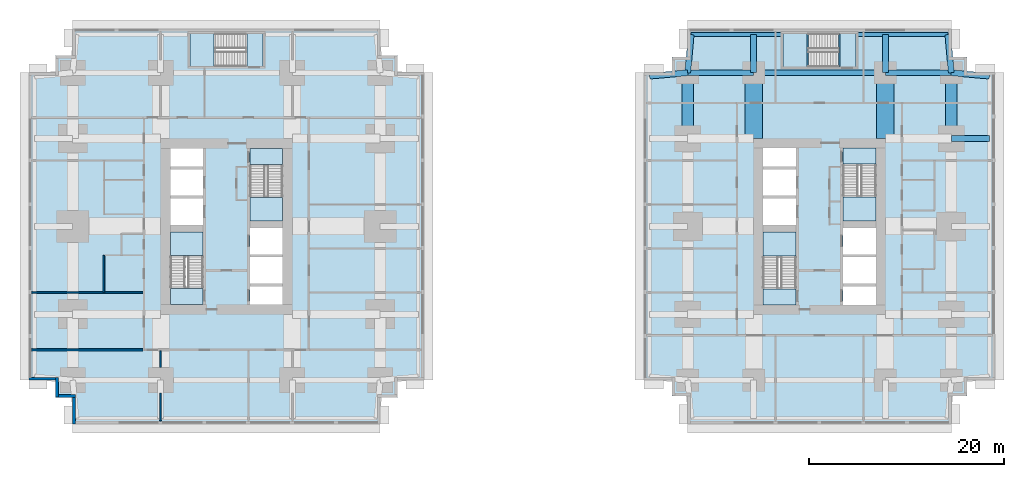
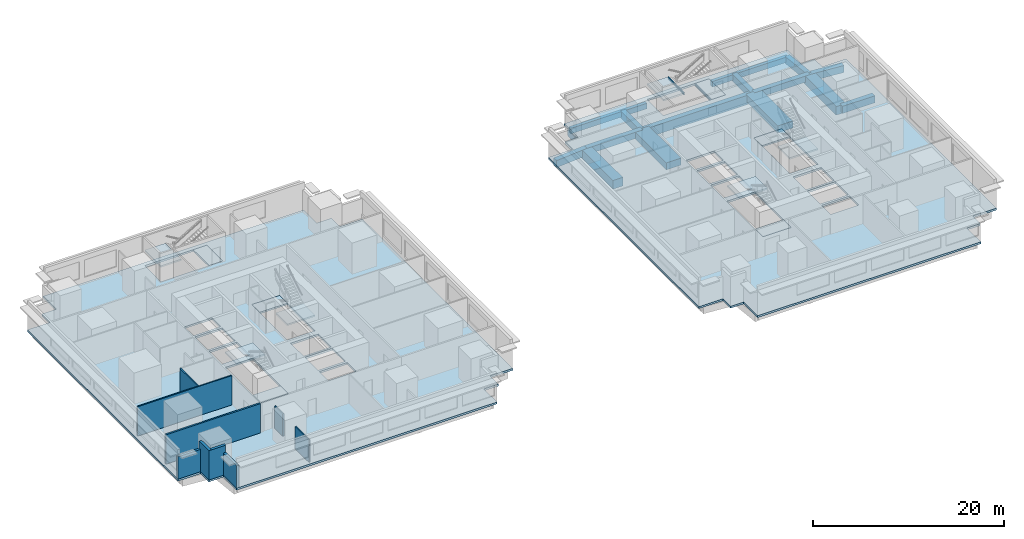
# One storey, part 2 of 11: 18 beams, 14 slabs, 9 walls, 6 elements without a shape of their own.
"""IFC4 building model written with IfcOpenShell, lengths in metres."""

from ifc_helpers import new_model, si_unit, direction, frame, frame_2d, origin, origin_2d, place, context, subcontext, project, spatial, polyline, rectangle, i_section, outline, extrude, material, layer, layer_set, material_profile, profile_set, type_object, element, aggregate, save


model = new_model("IFC4")

# Units and contexts
model_context = context("Model", 3, precision=1e-05, world=origin(), true_north=direction((0.0, 1.0)))
body_context = subcontext(model_context, "Body", "Model", "MODEL_VIEW")
ifc_project = project(units=[si_unit("LENGTHUNIT", "METRE"), si_unit("AREAUNIT", "SQUARE_METRE"), si_unit("VOLUMEUNIT", "CUBIC_METRE"), si_unit("PLANEANGLEUNIT", "RADIAN"), si_unit("MASSUNIT", "GRAM", prefix="KILO")], contexts=[model_context])

# Site, building, storey
site_placement = place(None, origin())
site = spatial("IfcSite", under=ifc_project, at=site_placement, CompositionType="ELEMENT")
building_placement = place(site_placement, origin())
building = spatial("IfcBuilding", under=site, at=building_placement, Name="Namib Vertical Campus", CompositionType="ELEMENT")
storey_placement = place(building_placement, frame((0.0, 0.0, 33.0)))
storey = spatial("IfcBuildingStorey", under=building, at=storey_placement, Name="L07", CompositionType="ELEMENT", Elevation=33.0)

# Beams
ifc_material_1 = material(Name="Concrete C40/50", Category="concrete")
ifc_material_profile_1 = material_profile(ifc_material_1, rectangle(XDim=0.60009765625, YDim=0.89990234375, at=origin_2d()))
ifc_profile_set_1 = profile_set([ifc_material_profile_1], Name="Concrete C40/50")
beam_type_1 = type_object("IfcBeamType", Name="Cantilever girder RC 600x900", PredefinedType="BEAM", material=ifc_profile_set_1)
beam_1_placement = place(storey_placement, frame((67.5, 36.0, -0.699951171875), z_axis=(0.089411326146, 0.995994786511, 0.0), x_axis=(-0.995994786511, 0.089411326146, 0.0)))
element("IfcBeam", 1, at=beam_1_placement, inside=storey, type_object=beam_type_1, Name="Beam B3 L07", PredefinedType="BEAM", context=body_context, shape_type="SweptSolid", body=[
    extrude(rectangle(XDim=0.60009765625, YDim=0.89990234375, at=origin_2d()), origin(), (0.0, 0.0, 1.0), 3.91552734375),
])
for number, where, z_axis, x_axis, name in (
    (2, (74.25, 36.0, -0.699951171875), (0.0, 1.0, 0.0), (-1.0, 0.0, 0.0), "Beam B3 L07"),
    (3, (87.75, 36.0, -0.699951171875), (0.0, 1.0, 0.0), (-1.0, 0.0, 0.0), "Beam B3 L07"),
):
    element("IfcBeam", number, at=place(storey_placement, frame(where, z_axis=z_axis, x_axis=x_axis)), inside=storey, type_object=beam_type_1, Name=name, PredefinedType="BEAM", context=body_context, shape_type="SweptSolid", body=[
        extrude(rectangle(XDim=0.60009765625, YDim=0.89990234375, at=origin_2d()), origin(), (0.0, 0.0, 1.0), 3.89990234375),
    ])
for number, where, z_axis, x_axis, name in (
    (4, (94.5, 36.0, -0.699951171875), (-0.089411326146, 0.995994786511, 0.0), (-0.995994786511, -0.089411326146, 0.0), "Beam B3 L07"),
    (5, (67.5, 36.0, -0.699951171875), (-0.995994786511, -0.089411326146, 0.0), (0.089411326146, -0.995994786511, 0.0), "Beam B3 L07"),
):
    element("IfcBeam", number, at=place(storey_placement, frame(where, z_axis=z_axis, x_axis=x_axis)), inside=storey, type_object=beam_type_1, Name=name, PredefinedType="BEAM", context=body_context, shape_type="SweptSolid", body=[
        extrude(rectangle(XDim=0.60009765625, YDim=0.89990234375, at=origin_2d()), origin(), (0.0, 0.0, 1.0), 3.91552734375),
    ])
beam_2_placement = place(storey_placement, frame((94.5, 29.25, -0.699951171875), z_axis=(1.0, 0.0, 0.0), x_axis=(0.0, 1.0, 0.0)))
element("IfcBeam", 6, at=beam_2_placement, inside=storey, type_object=beam_type_1, Name="Beam B3 L07", PredefinedType="BEAM", context=body_context, shape_type="SweptSolid", body=[
    extrude(rectangle(XDim=0.60009765625, YDim=0.89990234375, at=origin_2d()), origin(), (0.0, 0.0, 1.0), 3.89990234375),
])
beam_3_placement = place(storey_placement, frame((94.5, 36.0, -0.699951171875), z_axis=(0.995994786511, -0.089411326146, 0.0), x_axis=(0.089411326146, 0.995994786511, 0.0)))
element("IfcBeam", 7, at=beam_3_placement, inside=storey, type_object=beam_type_1, Name="Beam B3 L07", PredefinedType="BEAM", context=body_context, shape_type="SweptSolid", body=[
    extrude(rectangle(XDim=0.60009765625, YDim=0.89990234375, at=origin_2d()), origin(), (0.0, 0.0, 1.0), 3.91552734375),
])
ifc_material_2 = material(Name="Concrete C40/50", Category="concrete")
ifc_material_profile_2 = material_profile(ifc_material_2, rectangle(XDim=0.39990234375, YDim=0.699951171875, at=origin_2d()))
ifc_profile_set_2 = profile_set([ifc_material_profile_2], Name="Concrete C40/50")
beam_type_2 = type_object("IfcBeamType", Name="Edge beam RC 400x700", PredefinedType="SPANDREL", material=ifc_profile_set_2)
for number, where, z_axis, x_axis, name in (
    (8, (67.85009765625, 39.89990234375, -0.60009765625), (1.0, 0.0, 0.0), (0.0, 1.0, 0.0), "Beam B4 L07"),
    (9, (84.949951171875, 39.89990234375, -0.60009765625), (1.0, 0.0, 0.0), (0.0, 1.0, 0.0), "Beam B4 L07"),
):
    element("IfcBeam", number, at=place(storey_placement, frame(where, z_axis=z_axis, x_axis=x_axis)), inside=storey, type_object=beam_type_2, Name=name, PredefinedType="SPANDREL", context=body_context, shape_type="SweptSolid", body=[
        extrude(rectangle(XDim=0.39990234375, YDim=0.699951171875, at=origin_2d()), origin(), (0.0, 0.0, 1.0), 9.199951171875),
    ])
ifc_material_3 = material(Name="Concrete C40/50", Category="concrete")
ifc_material_profile_3 = material_profile(ifc_material_3, rectangle(XDim=1.199951171875, YDim=1.10009765625, at=origin_2d()))
ifc_profile_set_3 = profile_set([ifc_material_profile_3], Name="Concrete C40/50")
beam_type_3 = type_object("IfcBeamType", Name="Face ring beam RC 1200x1100", PredefinedType="BEAM", material=ifc_profile_set_3)
for number, where, z_axis, x_axis, name in (
    (10, (67.5, 29.25, -0.800048828125), (0.0, 1.0, 0.0), (-1.0, 0.0, 0.0), "Beam B11 L07"),
    (11, (94.5, 29.25, -0.800048828125), (0.0, 1.0, 0.0), (-1.0, 0.0, 0.0), "Beam B11 L07"),
):
    element("IfcBeam", number, at=place(storey_placement, frame(where, z_axis=z_axis, x_axis=x_axis)), inside=storey, type_object=beam_type_3, Name=name, PredefinedType="BEAM", context=body_context, shape_type="SweptSolid", body=[
        extrude(rectangle(XDim=1.199951171875, YDim=1.10009765625, at=origin_2d()), origin(), (0.0, 0.0, 1.0), 6.75),
    ])
ifc_material_4 = material(Name="Steel S355JR", Category="steel")
ifc_material_profile_4 = material_profile(ifc_material_4, i_section(OverallWidth=0.14599609375, OverallDepth=0.25146484375, WebThickness=0.006103515625, FlangeThickness=0.008544921875, FilletRadius=0.007568359375, at=origin_2d()))
ifc_profile_set_4 = profile_set([ifc_material_profile_4], Name="Steel S355JR")
beam_type_4 = type_object("IfcBeamType", Name="Landing trimmer UB 254x146x31", PredefinedType="BEAM", material=ifc_profile_set_4)
for number, where, z_axis, x_axis, name in (
    (12, (83.02294921875, 36.60009765625, -0.125732421875), (0.0, 1.0, 0.0), (-1.0, 0.0, 0.0), "Landing trimmer LT1 B-S3 L07 1"),
    (13, (79.796875, 36.60009765625, 1.874267578125), (0.0, 1.0, 0.0), (-1.0, 0.0, 0.0), "Landing trimmer LT1 B-S3 L07 2"),
):
    element("IfcBeam", number, at=place(storey_placement, frame(where, z_axis=z_axis, x_axis=x_axis)), inside=storey, type_object=beam_type_4, Name=name, PredefinedType="BEAM", context=body_context, shape_type="SweptSolid", body=[
        extrude(i_section(OverallWidth=0.14599609375, OverallDepth=0.25146484375, WebThickness=0.006103515625, FlangeThickness=0.008544921875, FilletRadius=0.007568359375, at=origin_2d()), origin(), (0.0, 0.0, 1.0), 3.39990234375),
    ])
ifc_material_5 = material(Name="Concrete C40/50", Category="concrete")
ifc_material_profile_5 = material_profile(ifc_material_5, rectangle(XDim=0.60009765625, YDim=1.199951171875, at=origin_2d()))
ifc_profile_set_5 = profile_set([ifc_material_profile_5], Name="Concrete C40/50")
beam_type_5 = type_object("IfcBeamType", Name="Long-span ring beam RC 600x1200", PredefinedType="BEAM", material=ifc_profile_set_5)
beam_4_placement = place(storey_placement, frame((74.25, 36.0, -0.85009765625), z_axis=(1.0, 0.0, 0.0), x_axis=(0.0, 1.0, 0.0)))
element("IfcBeam", 14, at=beam_4_placement, inside=storey, type_object=beam_type_5, Name="Beam B9 L07", PredefinedType="BEAM", context=body_context, shape_type="SweptSolid", body=[
    extrude(rectangle(XDim=0.60009765625, YDim=1.199951171875, at=origin_2d()), origin(), (0.0, 0.0, 1.0), 13.5),
])
ifc_material_6 = material(Name="Concrete C40/50", Category="concrete")
ifc_material_profile_6 = material_profile(ifc_material_6, rectangle(XDim=1.800048828125, YDim=0.89990234375, at=origin_2d()))
ifc_profile_set_6 = profile_set([ifc_material_profile_6], Name="Concrete C40/50")
beam_type_6 = type_object("IfcBeamType", Name="Outrigger line girder RC 1800x900", PredefinedType="BEAM", material=ifc_profile_set_6)
for number, where, z_axis, x_axis, name in (
    (15, (74.25, 36.0, -0.699951171875), (0.0, -1.0, 0.0), (1.0, 0.0, 0.0), "Beam B12 L07"),
    (16, (87.75, 36.0, -0.699951171875), (0.0, -1.0, 0.0), (1.0, 0.0, 0.0), "Beam B12 L07"),
):
    element("IfcBeam", number, at=place(storey_placement, frame(where, z_axis=z_axis, x_axis=x_axis)), inside=storey, type_object=beam_type_6, Name=name, PredefinedType="BEAM", context=body_context, shape_type="SweptSolid", body=[
        extrude(rectangle(XDim=1.800048828125, YDim=0.89990234375, at=origin_2d()), origin(), (0.0, 0.0, 1.0), 6.75),
    ])
ifc_material_7 = material(Name="Concrete C40/50", Category="concrete")
ifc_material_profile_7 = material_profile(ifc_material_7, rectangle(XDim=0.60009765625, YDim=0.800048828125, at=origin_2d()))
ifc_profile_set_7 = profile_set([ifc_material_profile_7], Name="Concrete C40/50")
beam_type_7 = type_object("IfcBeamType", Name="Ring beam RC 600x800", PredefinedType="BEAM", material=ifc_profile_set_7)
for number, where, z_axis, x_axis, name in (
    (17, (67.5, 36.0, -0.64990234375), (1.0, 0.0, 0.0), (0.0, 1.0, 0.0), "Beam B1 L07"),
    (18, (87.75, 36.0, -0.64990234375), (1.0, 0.0, 0.0), (0.0, 1.0, 0.0), "Beam B1 L07"),
):
    element("IfcBeam", number, at=place(storey_placement, frame(where, z_axis=z_axis, x_axis=x_axis)), inside=storey, type_object=beam_type_7, Name=name, PredefinedType="BEAM", context=body_context, shape_type="SweptSolid", body=[
        extrude(rectangle(XDim=0.60009765625, YDim=0.800048828125, at=origin_2d()), origin(), (0.0, 0.0, 1.0), 6.75),
    ])

# Slabs
ifc_material_8 = material(Name="Concrete C40/50", Category="concrete")
ifc_layer_1 = layer(ifc_material_8, 0.25)
ifc_layer_set_1 = layer_set([ifc_layer_1], Name="Concrete C40/50")
slab_type_1 = type_object("IfcSlabType", Name="Floor slab 250", PredefinedType="FLOOR", material=ifc_layer_set_1)
slab_1_placement = place(storey_placement, frame((0.0, 0.0, -0.25)))
element("IfcSlab", 19, at=slab_1_placement, inside=storey, type_object=slab_type_1, Name="Floor slab A L07", PredefinedType="FLOOR", context=body_context, shape_type="SweptSolid", body=[
    extrude(outline(polyline([(4.5, 0.0), (36.0, 0.0), (36.0, 2.75), (37.75, 2.75), (37.75, 4.5), (40.5, 4.5), (40.5, 36.0), (37.75, 36.0), (37.75, 37.75), (36.0, 37.75), (36.0, 40.5), (4.5, 40.5), (4.5, 37.75), (2.75, 37.75), (2.75, 36.0), (0.0, 36.0), (0.0, 4.5), (2.75, 4.5), (2.75, 2.75), (4.5, 2.75), (4.5, 0.0)]), holes=[polyline([(14.5, 12.25), (17.85009765625, 12.25), (17.85009765625, 19.699951171875), (14.5, 19.699951171875), (14.5, 12.25)]), polyline([(22.64990234375, 20.800048828125), (26.0, 20.800048828125), (26.0, 28.25), (22.64990234375, 28.25), (22.64990234375, 20.800048828125)]), polyline([(22.64990234375, 12.25), (26.0, 12.25), (26.0, 14.10009765625), (22.64990234375, 14.10009765625), (22.64990234375, 12.25)]), polyline([(14.5, 20.39990234375), (17.85009765625, 20.39990234375), (17.85009765625, 23.10009765625), (14.5, 23.10009765625), (14.5, 20.39990234375)]), polyline([(14.5, 23.39990234375), (17.85009765625, 23.39990234375), (17.85009765625, 26.10009765625), (14.5, 26.10009765625), (14.5, 23.39990234375)]), polyline([(14.5, 26.39990234375), (17.85009765625, 26.39990234375), (17.85009765625, 28.25), (14.5, 28.25), (14.5, 26.39990234375)]), polyline([(22.64990234375, 14.39990234375), (26.0, 14.39990234375), (26.0, 17.10009765625), (22.64990234375, 17.10009765625), (22.64990234375, 14.39990234375)]), polyline([(22.64990234375, 17.39990234375), (26.0, 17.39990234375), (26.0, 20.10009765625), (22.64990234375, 20.10009765625), (22.64990234375, 17.39990234375)]), polyline([(16.5, 36.64990234375), (24.0, 36.64990234375), (24.0, 40.0), (16.5, 40.0), (16.5, 36.64990234375)])]), origin(), (0.0, 0.0, 1.0), 0.25),
])
slab_2_placement = place(storey_placement, frame((0.0, 0.0, -0.25)))
element("IfcSlab", 20, at=slab_2_placement, inside=storey, type_object=slab_type_1, Name="Floor slab B L07", PredefinedType="FLOOR", context=body_context, shape_type="SweptSolid", body=[
    extrude(outline(polyline([(67.5, 0.0), (94.5, 0.0), (94.5, 2.89990234375), (96.10009765625, 2.89990234375), (96.10009765625, 4.5), (99.0, 4.5), (99.0, 36.0), (96.10009765625, 36.0), (96.10009765625, 37.60009765625), (94.5, 37.60009765625), (94.5, 40.5), (67.5, 40.5), (67.5, 37.60009765625), (65.89990234375, 37.60009765625), (65.89990234375, 36.0), (63.0, 36.0), (63.0, 4.5), (65.89990234375, 4.5), (65.89990234375, 2.89990234375), (67.5, 2.89990234375), (67.5, 0.0)]), holes=[polyline([(75.199951171875, 12.199951171875), (78.60009765625, 12.199951171875), (78.60009765625, 19.699951171875), (75.199951171875, 19.699951171875), (75.199951171875, 12.199951171875)]), polyline([(83.39990234375, 20.800048828125), (86.800048828125, 20.800048828125), (86.800048828125, 28.300048828125), (83.39990234375, 28.300048828125), (83.39990234375, 20.800048828125)]), polyline([(83.39990234375, 12.199951171875), (86.800048828125, 12.199951171875), (86.800048828125, 14.10009765625), (83.39990234375, 14.10009765625), (83.39990234375, 12.199951171875)]), polyline([(75.199951171875, 20.39990234375), (78.60009765625, 20.39990234375), (78.60009765625, 23.10009765625), (75.199951171875, 23.10009765625), (75.199951171875, 20.39990234375)]), polyline([(75.199951171875, 23.39990234375), (78.60009765625, 23.39990234375), (78.60009765625, 26.10009765625), (75.199951171875, 26.10009765625), (75.199951171875, 23.39990234375)]), polyline([(75.199951171875, 26.39990234375), (78.60009765625, 26.39990234375), (78.60009765625, 28.300048828125), (75.199951171875, 28.300048828125), (75.199951171875, 26.39990234375)]), polyline([(83.39990234375, 14.39990234375), (86.800048828125, 14.39990234375), (86.800048828125, 17.10009765625), (83.39990234375, 17.10009765625), (83.39990234375, 14.39990234375)]), polyline([(83.39990234375, 17.39990234375), (86.800048828125, 17.39990234375), (86.800048828125, 20.10009765625), (83.39990234375, 20.10009765625), (83.39990234375, 17.39990234375)]), polyline([(77.25, 36.60009765625), (84.75, 36.60009765625), (84.75, 40.0), (77.25, 40.0), (77.25, 36.60009765625)])]), origin(), (0.0, 0.0, 1.0), 0.25),
])

# Stair, slabs
ifc_material_9 = material(Name="Concrete C40/50 precast", Category="concrete")
stair_type_1 = type_object("IfcStairType", Name="Exit stair 4000 rise 24 risers 3350 wide", PredefinedType="HALF_TURN_STAIR", material=ifc_material_9)
stair_1_placement = place(storey_placement, origin())
stair_1 = element("IfcStair", 21, at=stair_1_placement, inside=storey, type_object=stair_type_1, Name="Exit stair A-S1 L07", PredefinedType="HALF_TURN_STAIR")
ifc_material_10 = material(Name="Concrete C40/50", Category="concrete")
ifc_layer_2 = layer(ifc_material_10, 0.199951171875)
ifc_layer_set_2 = layer_set([ifc_layer_2], Name="Concrete C40/50")
slab_type_2 = type_object("IfcSlabType", Name="Stair landing 200", PredefinedType="LANDING", material=ifc_layer_set_2)
slab_3_placement = place(storey_placement, frame((0.0, 0.0, -0.199951171875)))
slab_3 = element("IfcSlab", 22, at=slab_3_placement, type_object=slab_type_2, Name="A-S1 landing 1", PredefinedType="LANDING", context=body_context, shape_type="SweptSolid", body=[
    extrude(outline(polyline([(14.5, 12.25), (17.85009765625, 12.25), (17.85009765625, 13.90380859375), (14.5, 13.90380859375), (14.5, 12.25)])), origin(), (0.0, 0.0, 1.0), 0.199951171875),
])
slab_4_placement = place(storey_placement, frame((0.0, 0.0, 1.800048828125)))
slab_4 = element("IfcSlab", 23, at=slab_4_placement, type_object=slab_type_2, Name="A-S1 landing 2", PredefinedType="LANDING", context=body_context, shape_type="SweptSolid", body=[
    extrude(outline(polyline([(14.5, 17.276123046875), (17.85009765625, 17.276123046875), (17.85009765625, 19.699951171875), (14.5, 19.699951171875), (14.5, 17.276123046875)])), origin(), (0.0, 0.0, 1.0), 0.199951171875),
])
aggregate(stair_1, [slab_3, slab_4])

stair_2_placement = place(storey_placement, origin())
stair_2 = element("IfcStair", 24, at=stair_2_placement, inside=storey, type_object=stair_type_1, Name="Exit stair A-S2 L07", PredefinedType="HALF_TURN_STAIR")
slab_5_placement = place(storey_placement, frame((0.0, 0.0, -0.199951171875)))
slab_5 = element("IfcSlab", 25, at=slab_5_placement, type_object=slab_type_2, Name="A-S2 landing 1", PredefinedType="LANDING", context=body_context, shape_type="SweptSolid", body=[
    extrude(outline(polyline([(22.64990234375, 26.59619140625), (26.0, 26.59619140625), (26.0, 28.25), (22.64990234375, 28.25), (22.64990234375, 26.59619140625)])), origin(), (0.0, 0.0, 1.0), 0.199951171875),
])
slab_6_placement = place(storey_placement, frame((0.0, 0.0, 1.800048828125)))
slab_6 = element("IfcSlab", 26, at=slab_6_placement, type_object=slab_type_2, Name="A-S2 landing 2", PredefinedType="LANDING", context=body_context, shape_type="SweptSolid", body=[
    extrude(outline(polyline([(22.64990234375, 20.800048828125), (26.0, 20.800048828125), (26.0, 23.223876953125), (22.64990234375, 23.223876953125), (22.64990234375, 20.800048828125)])), origin(), (0.0, 0.0, 1.0), 0.199951171875),
])
aggregate(stair_2, [slab_5, slab_6])

ifc_material_11 = material(Name="Concrete C40/50 precast", Category="concrete")
stair_type_2 = type_object("IfcStairType", Name="Exit stair 4000 rise 24 risers 3400 wide", PredefinedType="HALF_TURN_STAIR", material=ifc_material_11)
stair_3_placement = place(storey_placement, origin())
stair_3 = element("IfcStair", 27, at=stair_3_placement, inside=storey, type_object=stair_type_2, Name="Exit stair B-S1 L07", PredefinedType="HALF_TURN_STAIR")
slab_7_placement = place(storey_placement, frame((0.0, 0.0, -0.199951171875)))
slab_7 = element("IfcSlab", 28, at=slab_7_placement, type_object=slab_type_2, Name="B-S1 landing 1", PredefinedType="LANDING", context=body_context, shape_type="SweptSolid", body=[
    extrude(outline(polyline([(75.199951171875, 12.199951171875), (78.60009765625, 12.199951171875), (78.60009765625, 13.85400390625), (75.199951171875, 13.85400390625), (75.199951171875, 12.199951171875)])), origin(), (0.0, 0.0, 1.0), 0.199951171875),
])
slab_8_placement = place(storey_placement, frame((0.0, 0.0, 1.800048828125)))
slab_8 = element("IfcSlab", 29, at=slab_8_placement, type_object=slab_type_2, Name="B-S1 landing 2", PredefinedType="LANDING", context=body_context, shape_type="SweptSolid", body=[
    extrude(outline(polyline([(75.199951171875, 17.22607421875), (78.60009765625, 17.22607421875), (78.60009765625, 19.699951171875), (75.199951171875, 19.699951171875), (75.199951171875, 17.22607421875)])), origin(), (0.0, 0.0, 1.0), 0.199951171875),
])
aggregate(stair_3, [slab_7, slab_8])

stair_4_placement = place(storey_placement, origin())
stair_4 = element("IfcStair", 30, at=stair_4_placement, inside=storey, type_object=stair_type_2, Name="Exit stair B-S2 L07", PredefinedType="HALF_TURN_STAIR")
slab_9_placement = place(storey_placement, frame((0.0, 0.0, -0.199951171875)))
slab_9 = element("IfcSlab", 31, at=slab_9_placement, type_object=slab_type_2, Name="B-S2 landing 1", PredefinedType="LANDING", context=body_context, shape_type="SweptSolid", body=[
    extrude(outline(polyline([(83.39990234375, 26.64599609375), (86.800048828125, 26.64599609375), (86.800048828125, 28.300048828125), (83.39990234375, 28.300048828125), (83.39990234375, 26.64599609375)])), origin(), (0.0, 0.0, 1.0), 0.199951171875),
])
slab_10_placement = place(storey_placement, frame((0.0, 0.0, 1.800048828125)))
slab_10 = element("IfcSlab", 32, at=slab_10_placement, type_object=slab_type_2, Name="B-S2 landing 2", PredefinedType="LANDING", context=body_context, shape_type="SweptSolid", body=[
    extrude(outline(polyline([(83.39990234375, 20.800048828125), (86.800048828125, 20.800048828125), (86.800048828125, 23.27392578125), (83.39990234375, 23.27392578125), (83.39990234375, 20.800048828125)])), origin(), (0.0, 0.0, 1.0), 0.199951171875),
])
aggregate(stair_4, [slab_9, slab_10])

stair_5_placement = place(storey_placement, origin())
stair_5 = element("IfcStair", 33, at=stair_5_placement, inside=storey, type_object=stair_type_1, Name="Exit stair A-S3 L07", PredefinedType="HALF_TURN_STAIR")
slab_11_placement = place(storey_placement, frame((0.0, 0.0, -0.199951171875)))
slab_11 = element("IfcSlab", 34, at=slab_11_placement, type_object=slab_type_2, Name="A-S3 landing 1", PredefinedType="LANDING", context=body_context, shape_type="SweptSolid", body=[
    extrude(outline(polyline([(22.34619140625, 36.64990234375), (22.34619140625, 40.0), (24.0, 40.0), (24.0, 36.64990234375), (22.34619140625, 36.64990234375)])), origin(), (0.0, 0.0, 1.0), 0.199951171875),
])
slab_12_placement = place(storey_placement, frame((0.0, 0.0, 1.800048828125)))
slab_12 = element("IfcSlab", 35, at=slab_12_placement, type_object=slab_type_2, Name="A-S3 landing 2", PredefinedType="LANDING", context=body_context, shape_type="SweptSolid", body=[
    extrude(outline(polyline([(16.5, 36.64990234375), (16.5, 40.0), (18.973876953125, 40.0), (18.973876953125, 36.64990234375), (16.5, 36.64990234375)])), origin(), (0.0, 0.0, 1.0), 0.199951171875),
])
aggregate(stair_5, [slab_11, slab_12])

stair_6_placement = place(storey_placement, origin())
stair_6 = element("IfcStair", 36, at=stair_6_placement, inside=storey, type_object=stair_type_2, Name="Exit stair B-S3 L07", PredefinedType="HALF_TURN_STAIR")
slab_13_placement = place(storey_placement, frame((0.0, 0.0, -0.199951171875)))
slab_13 = element("IfcSlab", 37, at=slab_13_placement, type_object=slab_type_2, Name="B-S3 landing 1", PredefinedType="LANDING", context=body_context, shape_type="SweptSolid", body=[
    extrude(outline(polyline([(83.09619140625, 36.60009765625), (83.09619140625, 40.0), (84.75, 40.0), (84.75, 36.60009765625), (83.09619140625, 36.60009765625)])), origin(), (0.0, 0.0, 1.0), 0.199951171875),
])
slab_14_placement = place(storey_placement, frame((0.0, 0.0, 1.800048828125)))
slab_14 = element("IfcSlab", 38, at=slab_14_placement, type_object=slab_type_2, Name="B-S3 landing 2", PredefinedType="LANDING", context=body_context, shape_type="SweptSolid", body=[
    extrude(outline(polyline([(77.25, 36.60009765625), (77.25, 40.0), (79.723876953125, 40.0), (79.723876953125, 36.60009765625), (77.25, 36.60009765625)])), origin(), (0.0, 0.0, 1.0), 0.199951171875),
])
aggregate(stair_6, [slab_13, slab_14])

# Walls
ifc_material_12 = material(Name="Concrete masonry", Category="masonry")
ifc_layer_3 = layer(ifc_material_12, 0.199951171875)
ifc_layer_set_3 = layer_set([ifc_layer_3], Name="Corridor wall 200")
wall_type_1 = type_object("IfcWallType", Name="Corridor wall 200", PredefinedType="SOLIDWALL", material=ifc_layer_set_3)
wall_1_placement = place(storey_placement, frame((0.300048828125, 7.60009765625, 0.0), z_axis=(0.0, 0.0, 1.0), x_axis=(1.0, 0.0, 0.0)))
element("IfcWall", 39, at=wall_1_placement, inside=storey, type_object=wall_type_1, Name="Partition A L07 BSW", PredefinedType="SOLIDWALL", context=body_context, shape_type="SweptSolid", body=[
    extrude(rectangle(XDim=11.39990234375, YDim=0.199951171875, at=frame_2d((5.699951171875, 0.0))), origin(), (0.0, 0.0, 1.0), 3.75),
])
ifc_material_13 = material(Name="Concrete C40/50", Category="concrete")
ifc_layer_4 = layer(ifc_material_13, 0.300048828125)
ifc_layer_set_4 = layer_set([ifc_layer_4], Name="Concrete C40/50")
wall_type_2 = type_object("IfcWallType", Name="External wall 300 board-marked concrete", PredefinedType="STANDARD", material=ifc_layer_set_4)
wall_2_placement = place(storey_placement, frame((0.02001953125, 4.64990234375, 0.0), z_axis=(0.0, 0.0, 1.0), x_axis=(1.0, 0.0, 0.0)))
element("IfcWall", 40, at=wall_2_placement, inside=storey, type_object=wall_type_2, Name="External wall L07 F17", PredefinedType="STANDARD", context=body_context, shape_type="SweptSolid", body=[
    extrude(rectangle(XDim=3.010009765625, YDim=0.300048828125, at=frame_2d((1.5048828125, 0.0))), origin(), (0.0, 0.0, 1.0), 2.85009765625),
])
for number, where, z_axis, x_axis, name in (
    (41, (2.89990234375, 4.780029296875, 0.0), (0.0, 0.0, 1.0), (0.0, -1.0, 0.0), "External wall L07 F18"),
    (42, (2.77001953125, 2.89990234375, 0.0), (0.0, 0.0, 1.0), (1.0, 0.0, 0.0), "External wall L07 F19"),
):
    element("IfcWall", number, at=place(storey_placement, frame(where, z_axis=z_axis, x_axis=x_axis)), inside=storey, type_object=wall_type_2, Name=name, PredefinedType="STANDARD", context=body_context, shape_type="SweptSolid", body=[
        extrude(rectangle(XDim=2.010009765625, YDim=0.300048828125, at=frame_2d((1.0048828125, 0.0))), origin(), (0.0, 0.0, 1.0), 3.75),
    ])
wall_3_placement = place(storey_placement, frame((4.64990234375, 3.030029296875, 0.0), z_axis=(0.0, 0.0, 1.0), x_axis=(0.0, -1.0, 0.0)))
element("IfcWall", 43, at=wall_3_placement, inside=storey, type_object=wall_type_2, Name="External wall L07 F20", PredefinedType="STANDARD", context=body_context, shape_type="SweptSolid", body=[
    extrude(rectangle(XDim=3.010009765625, YDim=0.300048828125, at=frame_2d((1.5048828125, 0.0))), origin(), (0.0, 0.0, 1.0), 2.85009765625),
])
ifc_material_14 = material(Name="Gypsum board on steel studs", Category="steel")
ifc_layer_5 = layer(ifc_material_14, 0.14990234375)
ifc_layer_set_5 = layer_set([ifc_layer_5], Name="Gypsum board on steel studs")
wall_type_3 = type_object("IfcWallType", Name="Partition 150", PredefinedType="PARTITIONING", material=ifc_layer_set_5)
wall_4_placement = place(storey_placement, frame((13.5, 0.300048828125, 0.0), z_axis=(0.0, 0.0, 1.0), x_axis=(0.0, 1.0, 0.0)))
element("IfcWall", 44, at=wall_4_placement, inside=storey, type_object=wall_type_3, Name="Partition A L07 PS1", PredefinedType="PARTITIONING", context=body_context, shape_type="SweptSolid", body=[
    extrude(rectangle(XDim=2.8798828125, YDim=0.14990234375, at=frame_2d((1.43994140625, 0.0))), origin(), (0.0, 0.0, 1.0), 2.85009765625),
])
wall_5_placement = place(storey_placement, frame((13.5, 5.820068359375, 0.0), z_axis=(0.0, 0.0, 1.0), x_axis=(0.0, 1.0, 0.0)))
element("IfcWall", 45, at=wall_5_placement, inside=storey, type_object=wall_type_3, Name="Partition A L07 PS1", PredefinedType="PARTITIONING", context=body_context, shape_type="SweptSolid", body=[
    extrude(rectangle(XDim=1.679931640625, YDim=0.14990234375, at=frame_2d((0.83984375, 0.0))), origin(), (0.0, 0.0, 1.0), 2.85009765625),
])
wall_6_placement = place(storey_placement, frame((0.300048828125, 13.5, 0.0), z_axis=(0.0, 0.0, 1.0), x_axis=(1.0, 0.0, 0.0)))
element("IfcWall", 46, at=wall_6_placement, inside=storey, type_object=wall_type_3, Name="Partition A L07 PW1", PredefinedType="PARTITIONING", context=body_context, shape_type="SweptSolid", body=[
    extrude(rectangle(XDim=11.39990234375, YDim=0.14990234375, at=frame_2d((5.699951171875, 0.0))), origin(), (0.0, 0.0, 1.0), 3.75),
])
wall_7_placement = place(storey_placement, frame((7.699951171875, 13.5, 0.0), z_axis=(0.0, 0.0, 1.0), x_axis=(0.0, 1.0, 0.0)))
element("IfcWall", 47, at=wall_7_placement, inside=storey, type_object=wall_type_3, Name="Partition A L07 WB1", PredefinedType="PARTITIONING", context=body_context, shape_type="SweptSolid", body=[
    extrude(rectangle(XDim=3.800048828125, YDim=0.14990234375, at=frame_2d((1.89990234375, 0.0))), origin(), (0.0, 0.0, 1.0), 3.75),
])

save(model, "model.ifc")
